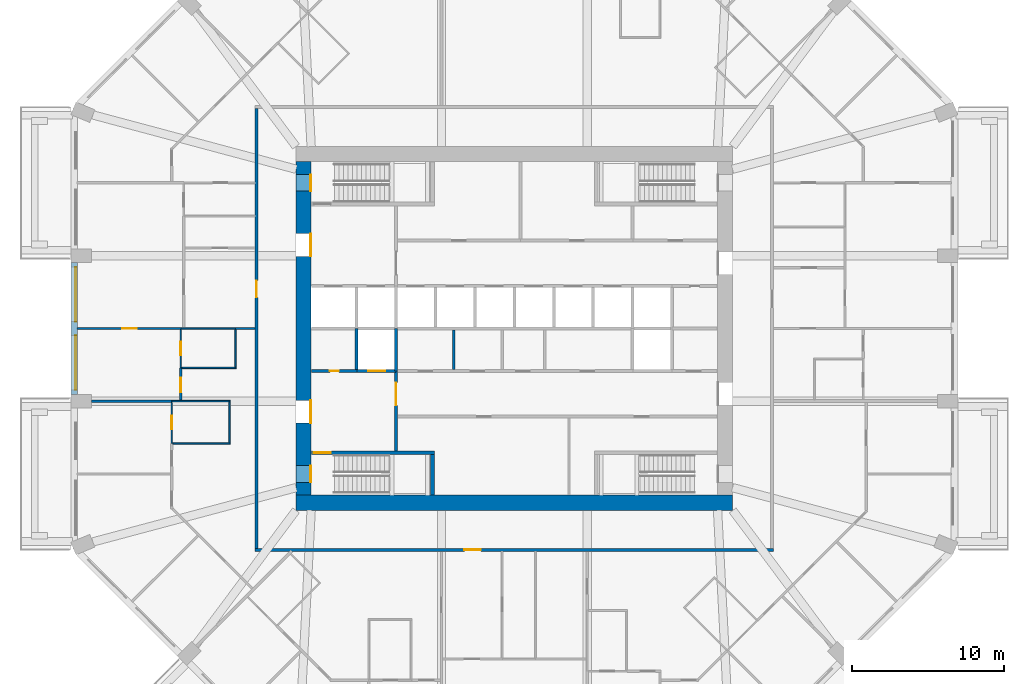
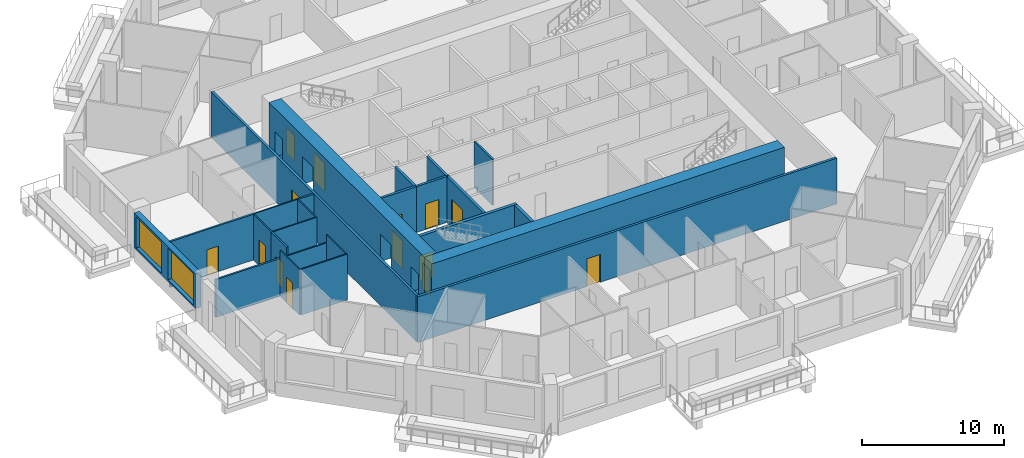
# One storey, part 4 of 13: 25 walls, 14 doors, 2 windows, 16 openings.
"""IFC4 building model written with IfcOpenShell, lengths in metres."""

from ifc_helpers import new_model, si_unit, direction, frame, frame_2d, origin, place, context, subcontext, project, spatial, rectangle, extrude, material, layer, layer_set, type_object, element, fill, save


model = new_model("IFC4")

# Units and contexts
model_context = context("Model", 3, precision=1e-05, world=origin(), true_north=direction((0.0, 1.0)))
body_context = subcontext(model_context, "Body", "Model", "MODEL_VIEW")
ifc_project = project(units=[si_unit("LENGTHUNIT", "METRE"), si_unit("AREAUNIT", "SQUARE_METRE"), si_unit("VOLUMEUNIT", "CUBIC_METRE"), si_unit("PLANEANGLEUNIT", "RADIAN"), si_unit("MASSUNIT", "GRAM", prefix="KILO")], contexts=[model_context])

# Site, building, storey
site_placement = place(None, origin())
site = spatial("IfcSite", under=ifc_project, at=site_placement, CompositionType="ELEMENT")
building_placement = place(site_placement, origin())
building = spatial("IfcBuilding", under=site, at=building_placement, Name="Msitu Wima Residences", CompositionType="ELEMENT")
storey_placement = place(building_placement, frame((0.0, 0.0, 63.300048828125)))
storey = spatial("IfcBuildingStorey", under=building, at=storey_placement, Name="L14", CompositionType="ELEMENT", Elevation=63.300048828125)

# Wall, openings, windows
ifc_material_1 = material(Name="Brick (red buff mix)", Category="masonry")
ifc_layer_1 = layer(ifc_material_1, 0.449951171875)
ifc_layer_set_1 = layer_set([ifc_layer_1], Name="Brick (red buff mix)")
wall_type_1 = type_object("IfcWallType", Name="Brick infill wall BW450", PredefinedType="SOLIDWALL", material=ifc_layer_set_1)
wall_1_placement = place(storey_placement, frame((-29.02490234375, 4.35009765625, 0.89990234375), z_axis=(0.0, 0.0, 1.0), x_axis=(0.0, -1.0, 0.0)))
wall_1 = element("IfcWall", 1, at=wall_1_placement, inside=storey, type_object=wall_type_1, Name="Brick infill wall L14 W1", PredefinedType="SOLIDWALL", context=body_context, shape_type="SweptSolid", body=[
    extrude(rectangle(XDim=8.7001953125, YDim=0.449951171875, at=frame_2d((4.35009765625, 0.0))), origin(), (0.0, 0.0, 1.0), 3.0),
])
opening_1_placement = place(wall_1_placement, frame((0.300048828125, 0.0, 0.14990234375)))
opening_1 = element("IfcOpeningElement", 2, at=opening_1_placement, cuts=wall_1, Name="Opening W13-15.028", PredefinedType="OPENING", context=body_context, shape_type="SweptSolid", body=[
    extrude(rectangle(XDim=3.60009765625, YDim=2.699951171875, at=frame_2d((1.800048828125, 1.35009765625))), frame((0.0, 0.23486328125, 0.0), z_axis=(0.0, -1.0, 0.0), x_axis=(1.0, 0.0, 0.0)), (0.0, 0.0, 1.0), 0.469970703125),
])
opening_2_placement = place(wall_1_placement, frame((4.800048828125, 0.0, 0.14990234375)))
opening_2 = element("IfcOpeningElement", 3, at=opening_2_placement, cuts=wall_1, Name="Opening W13-15.029", PredefinedType="OPENING", context=body_context, shape_type="SweptSolid", body=[
    extrude(rectangle(XDim=3.60009765625, YDim=2.699951171875, at=frame_2d((1.800048828125, 1.35009765625))), frame((0.0, 0.23486328125, 0.0), z_axis=(0.0, -1.0, 0.0), x_axis=(1.0, 0.0, 0.0)), (0.0, 0.0, 1.0), 0.469970703125),
])
ifc_material_2 = material(Name="Anodised aluminium, bronze finish, clear low-emissivity double glazing", Category="aluminium")
window_type = type_object("IfcWindowType", Name="Window W3600x2700", PartitioningType="DOUBLE_PANEL_VERTICAL", PredefinedType="WINDOW", material=ifc_material_2)
window_1_placement = place(opening_1_placement, origin())
window_1 = element("IfcWindow", 4, at=window_1_placement, inside=storey, type_object=window_type, Name="Window L14 W1.1", OverallHeight=2.699951171875, OverallWidth=3.60009765625, PartitioningType="SINGLE_PANEL", PredefinedType="WINDOW", context=body_context, shape_type="SweptSolid", body=[
    extrude(rectangle(XDim=3.60009765625, YDim=2.699951171875, at=frame_2d((1.800048828125, 1.35009765625))), frame((0.0, 0.135009765625, 0.0), z_axis=(0.0, -1.0, 0.0), x_axis=(1.0, 0.0, 0.0)), (0.0, 0.0, 1.0), 0.06005859375),
])
fill(opening_1, window_1)
window_2_placement = place(opening_2_placement, origin())
window_2 = element("IfcWindow", 5, at=window_2_placement, inside=storey, type_object=window_type, Name="Window L14 W1.2", OverallHeight=2.699951171875, OverallWidth=3.60009765625, PartitioningType="SINGLE_PANEL", PredefinedType="WINDOW", context=body_context, shape_type="SweptSolid", body=[
    extrude(rectangle(XDim=3.60009765625, YDim=2.699951171875, at=frame_2d((1.800048828125, 1.35009765625))), frame((0.0, 0.135009765625, 0.0), z_axis=(0.0, -1.0, 0.0), x_axis=(1.0, 0.0, 0.0)), (0.0, 0.0, 1.0), 0.06005859375),
])
fill(opening_2, window_2)

# Wall
ifc_material_3 = material(Name="Concrete C80/95", Category="concrete")
ifc_layer_2 = layer(ifc_material_3, 1.0)
ifc_layer_set_2 = layer_set([ifc_layer_2], Name="Concrete C80/95")
wall_type_2 = type_object("IfcWallType", Name="Core wall CW1000 C80/95", PredefinedType="SHEAR", material=ifc_layer_set_2)
wall_2_placement = place(storey_placement, frame((-14.39990234375, -11.5, 0.0), z_axis=(0.0, 0.0, 1.0), x_axis=(1.0, 0.0, 0.0)))
element("IfcWall", 6, at=wall_2_placement, inside=storey, type_object=wall_type_2, Name="Core wall", PredefinedType="SHEAR", context=body_context, shape_type="SweptSolid", body=[
    extrude(rectangle(XDim=28.7998046875, YDim=1.0, at=frame_2d((14.39990234375, 0.0))), origin(), (0.0, 0.0, 1.0), 4.199951171875),
])

# Wall, openings, doors
wall_3_placement = place(storey_placement, frame((-13.89990234375, -11.0, 0.0), z_axis=(0.0, 0.0, 1.0), x_axis=(0.0, 1.0, 0.0)))
wall_3 = element("IfcWall", 7, at=wall_3_placement, inside=storey, type_object=wall_type_2, Name="Core wall", PredefinedType="SHEAR", context=body_context, shape_type="SweptSolid", body=[
    extrude(rectangle(XDim=22.0, YDim=1.0, at=frame_2d((11.0, 0.0))), origin(), (0.0, 0.0, 1.0), 4.199951171875),
])
opening_3_placement = place(wall_3_placement, frame((20.050048828125, 0.0, 0.0)))
opening_3 = element("IfcOpeningElement", 8, at=opening_3_placement, cuts=wall_3, Name="Opening D13-15.032", PredefinedType="OPENING", context=body_context, shape_type="SweptSolid", body=[
    extrude(rectangle(XDim=1.10009765625, YDim=2.199951171875, at=frame_2d((0.550048828125, 1.10009765625))), frame((0.0, 0.510009765625, 0.0), z_axis=(0.0, -1.0, 0.0), x_axis=(1.0, 0.0, 0.0)), (0.0, 0.0, 1.0), 1.02001953125),
])
opening_4_placement = place(wall_3_placement, frame((0.85009765625, 0.0, 0.0)))
opening_4 = element("IfcOpeningElement", 9, at=opening_4_placement, cuts=wall_3, Name="Opening D13-15.034", PredefinedType="OPENING", context=body_context, shape_type="SweptSolid", body=[
    extrude(rectangle(XDim=1.10009765625, YDim=2.199951171875, at=frame_2d((0.550048828125, 1.10009765625))), frame((0.0, 0.510009765625, 0.0), z_axis=(0.0, -1.0, 0.0), x_axis=(1.0, 0.0, 0.0)), (0.0, 0.0, 1.0), 1.02001953125),
])
opening_5_placement = place(wall_3_placement, frame((15.75, 0.0, 0.0)))
opening_5 = element("IfcOpeningElement", 10, at=opening_5_placement, cuts=wall_3, Name="Opening D13-15.015", PredefinedType="OPENING", context=body_context, shape_type="SweptSolid", body=[
    extrude(rectangle(XDim=1.5, YDim=2.39990234375, at=frame_2d((0.75, 1.199951171875))), frame((0.0, 0.510009765625, 0.0), z_axis=(0.0, -1.0, 0.0), x_axis=(1.0, 0.0, 0.0)), (0.0, 0.0, 1.0), 1.02001953125),
])
opening_6_placement = place(wall_3_placement, frame((4.75, 0.0, 0.0)))
opening_6 = element("IfcOpeningElement", 11, at=opening_6_placement, cuts=wall_3, Name="Opening D13-15.017", PredefinedType="OPENING", context=body_context, shape_type="SweptSolid", body=[
    extrude(rectangle(XDim=1.5, YDim=2.39990234375, at=frame_2d((0.75, 1.199951171875))), frame((0.0, 0.510009765625, 0.0), z_axis=(0.0, -1.0, 0.0), x_axis=(1.0, 0.0, 0.0)), (0.0, 0.0, 1.0), 1.02001953125),
])
ifc_material_4 = material(Name="Steel framed glazed door, fire resisting", Category="steel")
door_type_1 = type_object("IfcDoorType", Name="Lobby door D07 1500x2400", OperationType="DOUBLE_DOOR_SINGLE_SWING", PredefinedType="DOOR", material=ifc_material_4)
door_1_placement = place(opening_5_placement, origin())
door_1 = element("IfcDoor", 12, at=door_1_placement, inside=storey, type_object=door_type_1, Name="Lobby door", OperationType="DOUBLE_DOOR_SINGLE_SWING", OverallHeight=2.39990234375, OverallWidth=1.5, PredefinedType="DOOR", context=body_context, shape_type="SweptSolid", body=[
    extrude(rectangle(XDim=1.5, YDim=2.39990234375, at=frame_2d((0.75, 1.199951171875))), frame((0.0, -0.44482421875, 0.0), z_axis=(0.0, -1.0, 0.0), x_axis=(1.0, 0.0, 0.0)), (0.0, 0.0, 1.0), 0.050048828125),
])
fill(opening_5, door_1)
door_2_placement = place(opening_6_placement, origin())
door_2 = element("IfcDoor", 13, at=door_2_placement, inside=storey, type_object=door_type_1, Name="Lobby door", OperationType="DOUBLE_DOOR_SINGLE_SWING", OverallHeight=2.39990234375, OverallWidth=1.5, PredefinedType="DOOR", context=body_context, shape_type="SweptSolid", body=[
    extrude(rectangle(XDim=1.5, YDim=2.39990234375, at=frame_2d((0.75, 1.199951171875))), frame((0.0, -0.44482421875, 0.0), z_axis=(0.0, -1.0, 0.0), x_axis=(1.0, 0.0, 0.0)), (0.0, 0.0, 1.0), 0.050048828125),
])
fill(opening_6, door_2)
ifc_material_5 = material(Name="Steel door, fire resisting, panic bar", Category="steel")
door_type_2 = type_object("IfcDoorType", Name="Stair door D06 1100x2200", OperationType="SINGLE_SWING_LEFT", PredefinedType="DOOR", material=ifc_material_5)
door_3_placement = place(opening_3_placement, origin())
door_3 = element("IfcDoor", 14, at=door_3_placement, inside=storey, type_object=door_type_2, Name="Stair door", OperationType="SINGLE_SWING_RIGHT", OverallHeight=2.199951171875, OverallWidth=1.10009765625, PredefinedType="DOOR", context=body_context, shape_type="SweptSolid", body=[
    extrude(rectangle(XDim=1.10009765625, YDim=2.199951171875, at=frame_2d((0.550048828125, 1.10009765625))), frame((0.0, -0.44482421875, 0.0), z_axis=(0.0, -1.0, 0.0), x_axis=(1.0, 0.0, 0.0)), (0.0, 0.0, 1.0), 0.050048828125),
])
fill(opening_3, door_3)
door_4_placement = place(opening_4_placement, origin())
door_4 = element("IfcDoor", 15, at=door_4_placement, inside=storey, type_object=door_type_2, Name="Stair door", OperationType="SINGLE_SWING_LEFT", OverallHeight=2.199951171875, OverallWidth=1.10009765625, PredefinedType="DOOR", context=body_context, shape_type="SweptSolid", body=[
    extrude(rectangle(XDim=1.10009765625, YDim=2.199951171875, at=frame_2d((0.550048828125, 1.10009765625))), frame((0.0, -0.44482421875, 0.0), z_axis=(0.0, -1.0, 0.0), x_axis=(1.0, 0.0, 0.0)), (0.0, 0.0, 1.0), 0.050048828125),
])
fill(opening_4, door_4)

# Wall, opening, door
ifc_material_6 = material(Name="Plaster")
ifc_layer_3 = layer(ifc_material_6, 0.011962890625, Name="Plaster")
ifc_material_7 = material(Name="Concrete blockwork", Category="masonry")
ifc_layer_4 = layer(ifc_material_7, 0.176025390625, Name="Concrete blockwork")
ifc_layer_5 = layer(ifc_material_6, 0.011962890625, Name="Plaster")
ifc_layer_set_3 = layer_set([ifc_layer_3, ifc_layer_4, ifc_layer_5], Name="Concrete blockwork")
wall_type_3 = type_object("IfcWallType", Name="Corridor wall FW200", PredefinedType="PARTITIONING", material=ifc_layer_set_3)
wall_4_placement = place(storey_placement, frame((-17.0, -14.5, 0.0), z_axis=(0.0, 0.0, 1.0), x_axis=(0.0, 1.0, 0.0)))
wall_4 = element("IfcWall", 16, at=wall_4_placement, inside=storey, type_object=wall_type_3, Name="Corridor wall", PredefinedType="PARTITIONING", context=body_context, shape_type="SweptSolid", body=[
    extrude(rectangle(XDim=29.0, YDim=0.199951171875, at=frame_2d((14.5, 0.0))), origin(), (0.0, 0.0, 1.0), 3.949951171875),
])
opening_7_placement = place(wall_4_placement, frame((16.550048828125, 0.0, 0.0)))
opening_7 = element("IfcOpeningElement", 17, at=opening_7_placement, cuts=wall_4, Name="Opening D13-15.012", PredefinedType="OPENING", context=body_context, shape_type="SweptSolid", body=[
    extrude(rectangle(XDim=1.10009765625, YDim=2.39990234375, at=frame_2d((0.550048828125, 1.199951171875))), frame((0.0, 0.10986328125, 0.0), z_axis=(0.0, -1.0, 0.0), x_axis=(1.0, 0.0, 0.0)), (0.0, 0.0, 1.0), 0.219970703125),
])
ifc_material_8 = material(Name="Timber flush door, fire resisting, self-closing", Category="wood")
door_type_3 = type_object("IfcDoorType", Name="Flat entrance door D01 1100x2400", OperationType="SINGLE_SWING_LEFT", PredefinedType="DOOR", material=ifc_material_8)
door_5_placement = place(opening_7_placement, origin())
door_5 = element("IfcDoor", 18, at=door_5_placement, inside=storey, type_object=door_type_3, Name="Flat entrance door", OperationType="SINGLE_SWING_LEFT", OverallHeight=2.39990234375, OverallWidth=1.10009765625, PredefinedType="DOOR", context=body_context, shape_type="SweptSolid", body=[
    extrude(rectangle(XDim=1.10009765625, YDim=2.39990234375, at=frame_2d((0.550048828125, 1.199951171875))), frame((0.0, 0.02490234375, 0.0), z_axis=(0.0, -1.0, 0.0), x_axis=(1.0, 0.0, 0.0)), (0.0, 0.0, 1.0), 0.050048828125),
])
fill(opening_7, door_5)

wall_5_placement = place(storey_placement, frame((-17.10009765625, -14.60009765625, 0.0), z_axis=(0.0, 0.0, 1.0), x_axis=(1.0, 0.0, 0.0)))
wall_5 = element("IfcWall", 19, at=wall_5_placement, inside=storey, type_object=wall_type_3, Name="Corridor wall", PredefinedType="PARTITIONING", context=body_context, shape_type="SweptSolid", body=[
    extrude(rectangle(XDim=34.2001953125, YDim=0.199951171875, at=frame_2d((17.10009765625, 0.0))), origin(), (0.0, 0.0, 1.0), 3.949951171875),
])
opening_8_placement = place(wall_5_placement, frame((13.800048828125, 0.0, 0.0)))
opening_8 = element("IfcOpeningElement", 20, at=opening_8_placement, cuts=wall_5, Name="Opening D13-15.013", PredefinedType="OPENING", context=body_context, shape_type="SweptSolid", body=[
    extrude(rectangle(XDim=1.10009765625, YDim=2.39990234375, at=frame_2d((0.550048828125, 1.199951171875))), frame((0.0, 0.10986328125, 0.0), z_axis=(0.0, -1.0, 0.0), x_axis=(1.0, 0.0, 0.0)), (0.0, 0.0, 1.0), 0.219970703125),
])
door_6_placement = place(opening_8_placement, origin())
door_6 = element("IfcDoor", 21, at=door_6_placement, inside=storey, type_object=door_type_3, Name="Flat entrance door", OperationType="SINGLE_SWING_LEFT", OverallHeight=2.39990234375, OverallWidth=1.10009765625, PredefinedType="DOOR", context=body_context, shape_type="SweptSolid", body=[
    extrude(rectangle(XDim=1.10009765625, YDim=2.39990234375, at=frame_2d((0.550048828125, 1.199951171875))), frame((0.0, 0.02490234375, 0.0), z_axis=(0.0, -1.0, 0.0), x_axis=(1.0, 0.0, 0.0)), (0.0, 0.0, 1.0), 0.050048828125),
])
fill(opening_8, door_6)

wall_6_placement = place(storey_placement, frame((-7.800048828125, -8.074951171875, 0.0), z_axis=(0.0, 0.0, 1.0), x_axis=(0.0, 1.0, 0.0)))
wall_6 = element("IfcWall", 22, at=wall_6_placement, inside=storey, type_object=wall_type_3, Name="Corridor wall", PredefinedType="PARTITIONING", context=body_context, shape_type="SweptSolid", body=[
    extrude(rectangle(XDim=5.27490234375, YDim=0.199951171875, at=frame_2d((2.637451171875, 0.0))), origin(), (0.0, 0.0, 1.0), 3.949951171875),
])
opening_9_placement = place(wall_6_placement, frame((3.0, 0.0, 0.0)))
opening_9 = element("IfcOpeningElement", 23, at=opening_9_placement, cuts=wall_6, Name="Opening D13-15.018", PredefinedType="OPENING", context=body_context, shape_type="SweptSolid", body=[
    extrude(rectangle(XDim=1.5, YDim=2.39990234375, at=frame_2d((0.75, 1.199951171875))), frame((0.0, 0.10986328125, 0.0), z_axis=(0.0, -1.0, 0.0), x_axis=(1.0, 0.0, 0.0)), (0.0, 0.0, 1.0), 0.219970703125),
])
door_7_placement = place(opening_9_placement, origin())
door_7 = element("IfcDoor", 24, at=door_7_placement, inside=storey, type_object=door_type_1, Name="Lobby door", OperationType="DOUBLE_DOOR_SINGLE_SWING", OverallHeight=2.39990234375, OverallWidth=1.5, PredefinedType="DOOR", context=body_context, shape_type="SweptSolid", body=[
    extrude(rectangle(XDim=1.5, YDim=2.39990234375, at=frame_2d((0.75, 1.199951171875))), frame((0.0, 0.02490234375, 0.0), z_axis=(0.0, -1.0, 0.0), x_axis=(1.0, 0.0, 0.0)), (0.0, 0.0, 1.0), 0.050048828125),
])
fill(opening_9, door_7)

# Wall
ifc_layer_6 = layer(ifc_material_6, 0.011962890625, Name="Plaster")
ifc_layer_7 = layer(ifc_material_7, 0.1259765625, Name="Concrete blockwork")
ifc_layer_8 = layer(ifc_material_6, 0.011962890625, Name="Plaster")
ifc_layer_set_4 = layer_set([ifc_layer_6, ifc_layer_7, ifc_layer_8], Name="Concrete blockwork")
wall_type_4 = type_object("IfcWallType", Name="Partition PW150", PredefinedType="PARTITIONING", material=ifc_layer_set_4)
wall_7_placement = place(storey_placement, frame((-27.89990234375, -4.800048828125, 0.0), z_axis=(0.0, 0.0, 1.0), x_axis=(1.0, 0.0, 0.0)))
element("IfcWall", 25, at=wall_7_placement, inside=storey, type_object=wall_type_4, Name="Partition", PredefinedType="PARTITIONING", context=body_context, shape_type="SweptSolid", body=[
    extrude(rectangle(XDim=5.31982421875, YDim=0.14990234375, at=frame_2d((2.659912109375, 0.0))), origin(), (0.0, 0.0, 1.0), 3.25),
])

# Wall, opening, door
wall_8_placement = place(storey_placement, frame((-28.85498046875, 0.0, 0.0), z_axis=(0.0, 0.0, 1.0), x_axis=(1.0, 0.0, 0.0)))
wall_8 = element("IfcWall", 26, at=wall_8_placement, inside=storey, type_object=wall_type_4, Name="Partition", PredefinedType="PARTITIONING", context=body_context, shape_type="SweptSolid", body=[
    extrude(rectangle(XDim=6.875, YDim=0.14990234375, at=frame_2d((3.4375, 0.0))), origin(), (0.0, 0.0, 1.0), 3.949951171875),
])
opening_10_placement = place(wall_8_placement, frame((3.0, 0.0, 0.0)))
opening_10 = element("IfcOpeningElement", 27, at=opening_10_placement, cuts=wall_8, Name="Opening D13-15.048", PredefinedType="OPENING", context=body_context, shape_type="SweptSolid", body=[
    extrude(rectangle(XDim=0.949951171875, YDim=2.199951171875, at=frame_2d((0.47509765625, 1.10009765625))), frame((0.0, 0.0849609375, 0.0), z_axis=(0.0, -1.0, 0.0), x_axis=(1.0, 0.0, 0.0)), (0.0, 0.0, 1.0), 0.169921875),
])
ifc_material_9 = material(Name="Timber flush door", Category="wood")
door_type_4 = type_object("IfcDoorType", Name="Room door D12 950x2200", OperationType="SINGLE_SWING_LEFT", PredefinedType="DOOR", material=ifc_material_9)
door_8_placement = place(opening_10_placement, origin())
door_8 = element("IfcDoor", 28, at=door_8_placement, inside=storey, type_object=door_type_4, Name="Room door", OperationType="SINGLE_SWING_RIGHT", OverallHeight=2.199951171875, OverallWidth=0.949951171875, PredefinedType="DOOR", context=body_context, shape_type="SweptSolid", body=[
    extrude(rectangle(XDim=0.949951171875, YDim=2.199951171875, at=frame_2d((0.47509765625, 1.10009765625))), frame((0.0, 0.02490234375, 0.0), z_axis=(0.0, -1.0, 0.0), x_axis=(1.0, 0.0, 0.0)), (0.0, 0.0, 1.0), 0.050048828125),
])
fill(opening_10, door_8)

wall_9_placement = place(storey_placement, frame((-22.0, -4.75, 0.0), z_axis=(0.0, 0.0, 1.0), x_axis=(0.0, 1.0, 0.0)))
wall_9 = element("IfcWall", 29, at=wall_9_placement, inside=storey, type_object=wall_type_4, Name="Partition", PredefinedType="PARTITIONING", context=body_context, shape_type="SweptSolid", body=[
    extrude(rectangle(XDim=2.1298828125, YDim=0.14990234375, at=frame_2d((1.06494140625, 0.0))), origin(), (0.0, 0.0, 1.0), 3.949951171875),
])
opening_11_placement = place(wall_9_placement, frame((0.550048828125, 0.0, 0.0)))
opening_11 = element("IfcOpeningElement", 30, at=opening_11_placement, cuts=wall_9, Name="Opening D13-15.051", PredefinedType="OPENING", context=body_context, shape_type="SweptSolid", body=[
    extrude(rectangle(XDim=0.949951171875, YDim=2.199951171875, at=frame_2d((0.47509765625, 1.10009765625))), frame((0.0, 0.0849609375, 0.0), z_axis=(0.0, -1.0, 0.0), x_axis=(1.0, 0.0, 0.0)), (0.0, 0.0, 1.0), 0.169921875),
])
door_9_placement = place(opening_11_placement, origin())
door_9 = element("IfcDoor", 31, at=door_9_placement, inside=storey, type_object=door_type_4, Name="Room door", OperationType="SINGLE_SWING_LEFT", OverallHeight=2.199951171875, OverallWidth=0.949951171875, PredefinedType="DOOR", context=body_context, shape_type="SweptSolid", body=[
    extrude(rectangle(XDim=0.949951171875, YDim=2.199951171875, at=frame_2d((0.47509765625, 1.10009765625))), frame((0.0, 0.02490234375, 0.0), z_axis=(0.0, -1.0, 0.0), x_axis=(1.0, 0.0, 0.0)), (0.0, 0.0, 1.0), 0.050048828125),
])
fill(opening_11, door_9)

# Walls
wall_10_placement = place(storey_placement, frame((-18.3798828125, 0.0, 0.0), z_axis=(0.0, 0.0, 1.0), x_axis=(1.0, 0.0, 0.0)))
element("IfcWall", 32, at=wall_10_placement, inside=storey, type_object=wall_type_4, Name="Partition", PredefinedType="PARTITIONING", context=body_context, shape_type="SweptSolid", body=[
    extrude(rectangle(XDim=1.27978515625, YDim=0.14990234375, at=frame_2d((0.639892578125, 0.0))), origin(), (0.0, 0.0, 1.0), 3.949951171875),
])
wall_11_placement = place(storey_placement, frame((-4.0, -2.699951171875, 0.0), z_axis=(0.0, 0.0, 1.0), x_axis=(0.0, 1.0, 0.0)))
element("IfcWall", 33, at=wall_11_placement, inside=storey, type_object=wall_type_4, Name="Partition", PredefinedType="PARTITIONING", context=body_context, shape_type="SweptSolid", body=[
    extrude(rectangle(XDim=2.599853515625, YDim=0.14990234375, at=frame_2d((1.2998046875, 0.0))), origin(), (0.0, 0.0, 1.0), 3.949951171875),
])

# Wall, opening, door
ifc_layer_9 = layer(ifc_material_6, 0.011962890625, Name="Plaster")
ifc_material_10 = material(Name="Reinforced concrete blockwork", Category="masonry")
ifc_layer_10 = layer(ifc_material_10, 0.176025390625, Name="Reinforced concrete blockwork")
ifc_layer_11 = layer(ifc_material_6, 0.011962890625, Name="Plaster")
ifc_layer_set_5 = layer_set([ifc_layer_9, ifc_layer_10, ifc_layer_11], Name="Reinforced concrete blockwork")
wall_type_5 = type_object("IfcWallType", Name="Plant and riser wall PL200", PredefinedType="PARTITIONING", material=ifc_layer_set_5)
wall_12_placement = place(storey_placement, frame((-13.3701171875, -2.800048828125, 0.0), z_axis=(0.0, 0.0, 1.0), x_axis=(1.0, 0.0, 0.0)))
wall_12 = element("IfcWall", 34, at=wall_12_placement, inside=storey, type_object=wall_type_5, Name="Plant and riser wall", PredefinedType="PARTITIONING", context=body_context, shape_type="SweptSolid", body=[
    extrude(rectangle(XDim=2.990234375, YDim=0.199951171875, at=frame_2d((1.4951171875, 0.0))), origin(), (0.0, 0.0, 1.0), 3.949951171875),
])
opening_12_placement = place(wall_12_placement, frame((1.199951171875, 0.0, 0.0)))
opening_12 = element("IfcOpeningElement", 35, at=opening_12_placement, cuts=wall_12, Name="Opening D13-15.027", PredefinedType="OPENING", context=body_context, shape_type="SweptSolid", body=[
    extrude(rectangle(XDim=0.60009765625, YDim=2.0, at=frame_2d((0.300048828125, 1.0))), frame((0.0, 0.10986328125, 0.0), z_axis=(0.0, -1.0, 0.0), x_axis=(1.0, 0.0, 0.0)), (0.0, 0.0, 1.0), 0.219970703125),
])
ifc_material_11 = material(Name="Steel access door, fire resisting", Category="steel")
door_type_5 = type_object("IfcDoorType", Name="Riser access door D08 600x2000", OperationType="SINGLE_SWING_LEFT", PredefinedType="DOOR", material=ifc_material_11)
door_10_placement = place(opening_12_placement, origin())
door_10 = element("IfcDoor", 36, at=door_10_placement, inside=storey, type_object=door_type_5, Name="Riser access door", OperationType="SINGLE_SWING_RIGHT", OverallHeight=2.0, OverallWidth=0.60009765625, PredefinedType="DOOR", context=body_context, shape_type="SweptSolid", body=[
    extrude(rectangle(XDim=0.60009765625, YDim=2.0, at=frame_2d((0.300048828125, 1.0))), frame((0.0, 0.02490234375, 0.0), z_axis=(0.0, -1.0, 0.0), x_axis=(1.0, 0.0, 0.0)), (0.0, 0.0, 1.0), 0.050048828125),
])
fill(opening_12, door_10)

# Wall
ifc_material_12 = material(Name="Fire-rated board")
ifc_layer_12 = layer(ifc_material_12, 0.02490234375, Name="Fire-rated board")
ifc_material_13 = material(Name="Light-gauge stud framing with mineral wool")
ifc_layer_13 = layer(ifc_material_13, 0.14990234375, Name="Light-gauge stud framing with mineral wool")
ifc_layer_14 = layer(ifc_material_12, 0.02490234375, Name="Fire-rated board")
ifc_layer_set_6 = layer_set([ifc_layer_12, ifc_layer_13, ifc_layer_14], Name="Light-gauge stud framing with mineral wool")
wall_type_6 = type_object("IfcWallType", Name="Shaft wall SH200", PredefinedType="PARTITIONING", material=ifc_layer_set_6)
wall_13_placement = place(storey_placement, frame((-10.39990234375, -2.699951171875, 0.0), z_axis=(0.0, 0.0, 1.0), x_axis=(0.0, 1.0, 0.0)))
element("IfcWall", 37, at=wall_13_placement, inside=storey, type_object=wall_type_6, Name="Shaft wall", PredefinedType="PARTITIONING", context=body_context, shape_type="SweptSolid", body=[
    extrude(rectangle(XDim=2.699951171875, YDim=0.199951171875, at=frame_2d((1.35009765625, 0.0))), origin(), (0.0, 0.0, 1.0), 3.949951171875),
])

# Wall, opening, door
wall_14_placement = place(storey_placement, frame((-10.3798828125, -2.800048828125, 0.0), z_axis=(0.0, 0.0, 1.0), x_axis=(1.0, 0.0, 0.0)))
wall_14 = element("IfcWall", 38, at=wall_14_placement, inside=storey, type_object=wall_type_6, Name="Shaft wall", PredefinedType="PARTITIONING", context=body_context, shape_type="SweptSolid", body=[
    extrude(rectangle(XDim=2.559814453125, YDim=0.199951171875, at=frame_2d((1.27978515625, 0.0))), origin(), (0.0, 0.0, 1.0), 3.949951171875),
])
opening_13_placement = place(wall_14_placement, frame((0.75, 0.0, 0.0)))
opening_13 = element("IfcOpeningElement", 39, at=opening_13_placement, cuts=wall_14, Name="Opening LD", PredefinedType="OPENING", context=body_context, shape_type="SweptSolid", body=[
    extrude(rectangle(XDim=1.10009765625, YDim=2.199951171875, at=frame_2d((0.550048828125, 1.10009765625))), frame((0.0, 0.10986328125, 0.0), z_axis=(0.0, -1.0, 0.0), x_axis=(1.0, 0.0, 0.0)), (0.0, 0.0, 1.0), 0.219970703125),
])
ifc_material_14 = material(Name="Stainless steel centre-opening landing door, rated", Category="steel")
door_type_6 = type_object("IfcDoorType", Name="Lift landing door LD 1100x2200", OperationType="DOUBLE_DOOR_SLIDING", PredefinedType="DOOR", material=ifc_material_14)
door_11_placement = place(opening_13_placement, origin())
door_11 = element("IfcDoor", 40, at=door_11_placement, inside=storey, type_object=door_type_6, Name="Lift landing door LD3", OperationType="DOUBLE_DOOR_SLIDING", OverallHeight=2.199951171875, OverallWidth=1.10009765625, PredefinedType="DOOR", context=body_context, shape_type="SweptSolid", body=[
    extrude(rectangle(XDim=1.10009765625, YDim=2.199951171875, at=frame_2d((0.550048828125, 1.10009765625))), frame((0.0, 0.02490234375, 0.0), z_axis=(0.0, -1.0, 0.0), x_axis=(1.0, 0.0, 0.0)), (0.0, 0.0, 1.0), 0.050048828125),
])
fill(opening_13, door_11)

# Wall
wall_15_placement = place(storey_placement, frame((-7.800048828125, -2.800048828125, 0.0), z_axis=(0.0, 0.0, 1.0), x_axis=(0.0, 1.0, 0.0)))
element("IfcWall", 41, at=wall_15_placement, inside=storey, type_object=wall_type_6, Name="Shaft wall", PredefinedType="PARTITIONING", context=body_context, shape_type="SweptSolid", body=[
    extrude(rectangle(XDim=2.800048828125, YDim=0.199951171875, at=frame_2d((1.39990234375, 0.0))), origin(), (0.0, 0.0, 1.0), 3.949951171875),
])

# Wall, opening, door
ifc_material_15 = material(Name="Concrete C50/60", Category="concrete")
ifc_layer_15 = layer(ifc_material_15, 0.25)
ifc_layer_set_7 = layer_set([ifc_layer_15], Name="Concrete C50/60")
wall_type_7 = type_object("IfcWallType", Name="Stair enclosure wall SW250", PredefinedType="SHEAR", material=ifc_layer_set_7)
wall_16_placement = place(storey_placement, frame((-13.3701171875, -8.199951171875, 0.0), z_axis=(0.0, 0.0, 1.0), x_axis=(1.0, 0.0, 0.0)))
wall_16 = element("IfcWall", 42, at=wall_16_placement, inside=storey, type_object=wall_type_7, Name="Stair enclosure wall", PredefinedType="SHEAR", context=body_context, shape_type="SweptSolid", body=[
    extrude(rectangle(XDim=8.09521484375, YDim=0.25, at=frame_2d((4.047607421875, 0.0))), origin(), (0.0, 0.0, 1.0), 3.949951171875),
])
opening_14_placement = place(wall_16_placement, frame((0.14990234375, 0.0, 0.0)))
opening_14 = element("IfcOpeningElement", 43, at=opening_14_placement, cuts=wall_16, Name="Opening D13-15.035", PredefinedType="OPENING", context=body_context, shape_type="SweptSolid", body=[
    extrude(rectangle(XDim=1.10009765625, YDim=2.199951171875, at=frame_2d((0.550048828125, 1.10009765625))), frame((0.0, 0.135009765625, 0.0), z_axis=(0.0, -1.0, 0.0), x_axis=(1.0, 0.0, 0.0)), (0.0, 0.0, 1.0), 0.27001953125),
])
door_12_placement = place(opening_14_placement, origin())
door_12 = element("IfcDoor", 44, at=door_12_placement, inside=storey, type_object=door_type_2, Name="Stair door", OperationType="SINGLE_SWING_RIGHT", OverallHeight=2.199951171875, OverallWidth=1.10009765625, PredefinedType="DOOR", context=body_context, shape_type="SweptSolid", body=[
    extrude(rectangle(XDim=1.10009765625, YDim=2.199951171875, at=frame_2d((0.550048828125, 1.10009765625))), frame((0.0, 0.02490234375, 0.0), z_axis=(0.0, -1.0, 0.0), x_axis=(1.0, 0.0, 0.0)), (0.0, 0.0, 1.0), 0.050048828125),
])
fill(opening_14, door_12)

# Walls
wall_17_placement = place(storey_placement, frame((-5.39990234375, -10.969970703125, 0.0), z_axis=(0.0, 0.0, 1.0), x_axis=(0.0, 1.0, 0.0)))
element("IfcWall", 45, at=wall_17_placement, inside=storey, type_object=wall_type_7, Name="Stair enclosure wall", PredefinedType="SHEAR", context=body_context, shape_type="SweptSolid", body=[
    extrude(rectangle(XDim=2.64501953125, YDim=0.25, at=frame_2d((1.322509765625, 0.0))), origin(), (0.0, 0.0, 1.0), 3.949951171875),
])
ifc_material_16 = material(Name="Ceramic tiles")
ifc_layer_16 = layer(ifc_material_16, 0.008056640625, Name="Ceramic tiles")
ifc_material_17 = material(Name="Moisture-resistant board")
ifc_layer_17 = layer(ifc_material_17, 0.012451171875, Name="Moisture-resistant board")
ifc_layer_18 = layer(ifc_material_13, 0.06689453125, Name="Light-gauge stud framing with mineral wool")
ifc_layer_19 = layer(ifc_material_17, 0.012451171875, Name="Moisture-resistant board")
ifc_layer_set_8 = layer_set([ifc_layer_16, ifc_layer_17, ifc_layer_18, ifc_layer_19], Name="Light-gauge stud framing with mineral wool")
wall_type_8 = type_object("IfcWallType", Name="Wet wall PW100", PredefinedType="PARTITIONING", material=ifc_layer_set_8)
wall_18_placement = place(storey_placement, frame((-22.580078125, -4.800048828125, 0.0), z_axis=(0.0, 0.0, 1.0), x_axis=(1.0, 0.0, 0.0)))
element("IfcWall", 46, at=wall_18_placement, inside=storey, type_object=wall_type_8, Name="Wet wall", PredefinedType="PARTITIONING", context=body_context, shape_type="SweptSolid", body=[
    extrude(rectangle(XDim=3.830078125, YDim=0.10009765625, at=frame_2d((1.9150390625, 0.0))), origin(), (0.0, 0.0, 1.0), 3.25),
])

# Wall, opening, door
wall_19_placement = place(storey_placement, frame((-22.60009765625, -7.60009765625, 0.0), z_axis=(0.0, 0.0, 1.0), x_axis=(0.0, 1.0, 0.0)))
wall_19 = element("IfcWall", 47, at=wall_19_placement, inside=storey, type_object=wall_type_8, Name="Wet wall", PredefinedType="PARTITIONING", context=body_context, shape_type="SweptSolid", body=[
    extrude(rectangle(XDim=2.72509765625, YDim=0.10009765625, at=frame_2d((1.362548828125, 0.0))), origin(), (0.0, 0.0, 1.0), 3.949951171875),
])
opening_15_placement = place(wall_19_placement, frame((0.949951171875, 0.0, 0.0)))
opening_15 = element("IfcOpeningElement", 48, at=opening_15_placement, cuts=wall_19, Name="Opening D13-15.053", PredefinedType="OPENING", context=body_context, shape_type="SweptSolid", body=[
    extrude(rectangle(XDim=0.89990234375, YDim=2.199951171875, at=frame_2d((0.449951171875, 1.10009765625))), frame((0.0, 0.06005859375, 0.0), z_axis=(0.0, -1.0, 0.0), x_axis=(1.0, 0.0, 0.0)), (0.0, 0.0, 1.0), 0.1201171875),
])
ifc_material_18 = material(Name="Timber flush door, moisture resistant", Category="wood")
door_type_7 = type_object("IfcDoorType", Name="Bathroom door D03 900x2200", OperationType="SINGLE_SWING_LEFT", PredefinedType="DOOR", material=ifc_material_18)
door_13_placement = place(opening_15_placement, origin())
door_13 = element("IfcDoor", 49, at=door_13_placement, inside=storey, type_object=door_type_7, Name="Bathroom door", OperationType="SINGLE_SWING_LEFT", OverallHeight=2.199951171875, OverallWidth=0.89990234375, PredefinedType="DOOR", context=body_context, shape_type="SweptSolid", body=[
    extrude(rectangle(XDim=0.89990234375, YDim=2.199951171875, at=frame_2d((0.449951171875, 1.10009765625))), frame((0.0, 0.02490234375, 0.0), z_axis=(0.0, -1.0, 0.0), x_axis=(1.0, 0.0, 0.0)), (0.0, 0.0, 1.0), 0.050048828125),
])
fill(opening_15, door_13)

# Walls
wall_20_placement = place(storey_placement, frame((-22.52490234375, -7.60009765625, 0.0), z_axis=(0.0, 0.0, 1.0), x_axis=(1.0, 0.0, 0.0)))
element("IfcWall", 50, at=wall_20_placement, inside=storey, type_object=wall_type_8, Name="Wet wall", PredefinedType="PARTITIONING", context=body_context, shape_type="SweptSolid", body=[
    extrude(rectangle(XDim=3.77490234375, YDim=0.10009765625, at=frame_2d((1.887451171875, 0.0))), origin(), (0.0, 0.0, 1.0), 3.949951171875),
])
wall_21_placement = place(storey_placement, frame((-21.97998046875, 0.0, 0.0), z_axis=(0.0, 0.0, 1.0), x_axis=(1.0, 0.0, 0.0)))
element("IfcWall", 51, at=wall_21_placement, inside=storey, type_object=wall_type_8, Name="Wet wall", PredefinedType="PARTITIONING", context=body_context, shape_type="SweptSolid", body=[
    extrude(rectangle(XDim=3.60009765625, YDim=0.10009765625, at=frame_2d((1.800048828125, 0.0))), origin(), (0.0, 0.0, 1.0), 3.949951171875),
])

# Wall, opening, door
wall_22_placement = place(storey_placement, frame((-22.0, -2.6201171875, 0.0), z_axis=(0.0, 0.0, 1.0), x_axis=(0.0, 1.0, 0.0)))
wall_22 = element("IfcWall", 52, at=wall_22_placement, inside=storey, type_object=wall_type_8, Name="Wet wall", PredefinedType="PARTITIONING", context=body_context, shape_type="SweptSolid", body=[
    extrude(rectangle(XDim=2.545166015625, YDim=0.10009765625, at=frame_2d((1.2724609375, 0.0))), origin(), (0.0, 0.0, 1.0), 3.949951171875),
])
opening_16_placement = place(wall_22_placement, frame((0.85009765625, 0.0, 0.0)))
opening_16 = element("IfcOpeningElement", 53, at=opening_16_placement, cuts=wall_22, Name="Opening D13-15.050", PredefinedType="OPENING", context=body_context, shape_type="SweptSolid", body=[
    extrude(rectangle(XDim=0.89990234375, YDim=2.199951171875, at=frame_2d((0.449951171875, 1.10009765625))), frame((0.0, 0.06005859375, 0.0), z_axis=(0.0, -1.0, 0.0), x_axis=(1.0, 0.0, 0.0)), (0.0, 0.0, 1.0), 0.1201171875),
])
door_14_placement = place(opening_16_placement, origin())
door_14 = element("IfcDoor", 54, at=door_14_placement, inside=storey, type_object=door_type_7, Name="Bathroom door", OperationType="SINGLE_SWING_RIGHT", OverallHeight=2.199951171875, OverallWidth=0.89990234375, PredefinedType="DOOR", context=body_context, shape_type="SweptSolid", body=[
    extrude(rectangle(XDim=0.89990234375, YDim=2.199951171875, at=frame_2d((0.449951171875, 1.10009765625))), frame((0.0, 0.02490234375, 0.0), z_axis=(0.0, -1.0, 0.0), x_axis=(1.0, 0.0, 0.0)), (0.0, 0.0, 1.0), 0.050048828125),
])
fill(opening_16, door_14)

# Walls
wall_23_placement = place(storey_placement, frame((-21.925048828125, -2.60009765625, 0.0), z_axis=(0.0, 0.0, 1.0), x_axis=(1.0, 0.0, 0.0)))
element("IfcWall", 55, at=wall_23_placement, inside=storey, type_object=wall_type_8, Name="Wet wall", PredefinedType="PARTITIONING", context=body_context, shape_type="SweptSolid", body=[
    extrude(rectangle(XDim=3.574951171875, YDim=0.10009765625, at=frame_2d((1.78759765625, 0.0))), origin(), (0.0, 0.0, 1.0), 3.949951171875),
])
wall_24_placement = place(storey_placement, frame((-18.800048828125, -7.550048828125, 0.0), z_axis=(0.0, 0.0, 1.0), x_axis=(0.0, 1.0, 0.0)))
element("IfcWall", 56, at=wall_24_placement, inside=storey, type_object=wall_type_8, Name="Wet wall", PredefinedType="PARTITIONING", context=body_context, shape_type="SweptSolid", body=[
    extrude(rectangle(XDim=2.699951171875, YDim=0.10009765625, at=frame_2d((1.35009765625, 0.0))), origin(), (0.0, 0.0, 1.0), 3.949951171875),
])
wall_25_placement = place(storey_placement, frame((-18.39990234375, -2.550048828125, 0.0), z_axis=(0.0, 0.0, 1.0), x_axis=(0.0, 1.0, 0.0)))
element("IfcWall", 57, at=wall_25_placement, inside=storey, type_object=wall_type_8, Name="Wet wall", PredefinedType="PARTITIONING", context=body_context, shape_type="SweptSolid", body=[
    extrude(rectangle(XDim=2.47509765625, YDim=0.10009765625, at=frame_2d((1.237548828125, 0.0))), origin(), (0.0, 0.0, 1.0), 3.949951171875),
])

save(model, "model.ifc")
